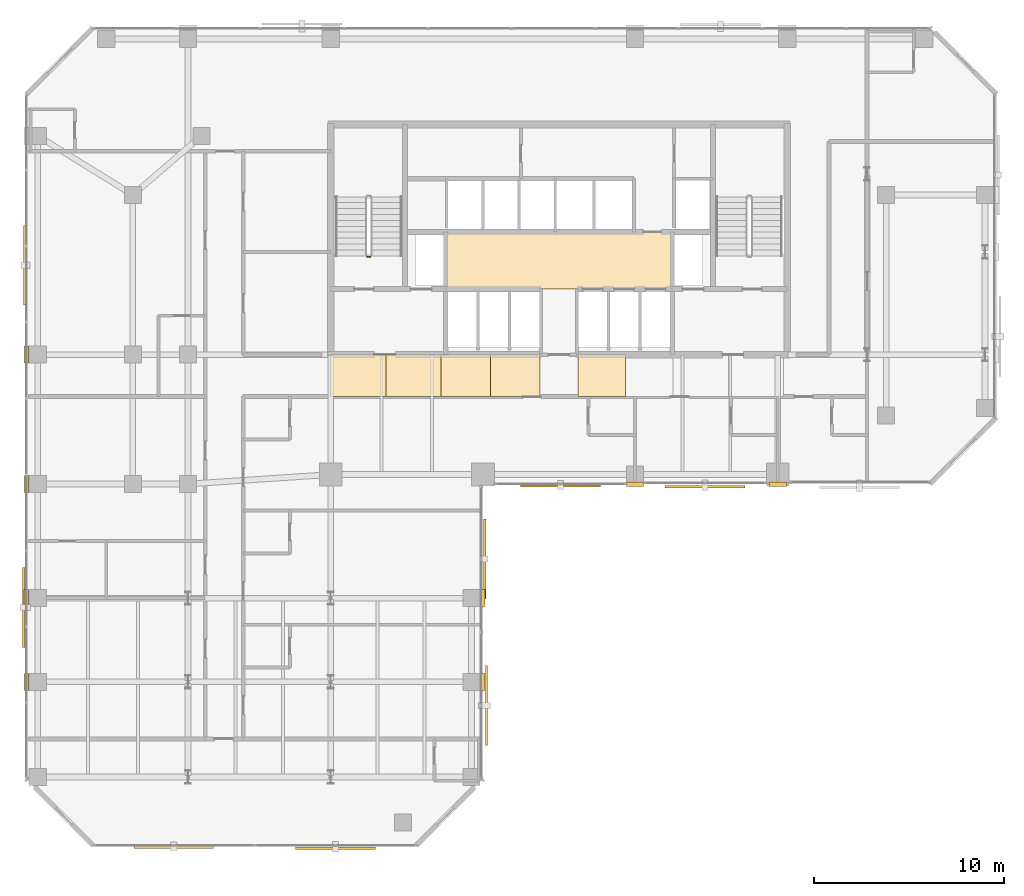
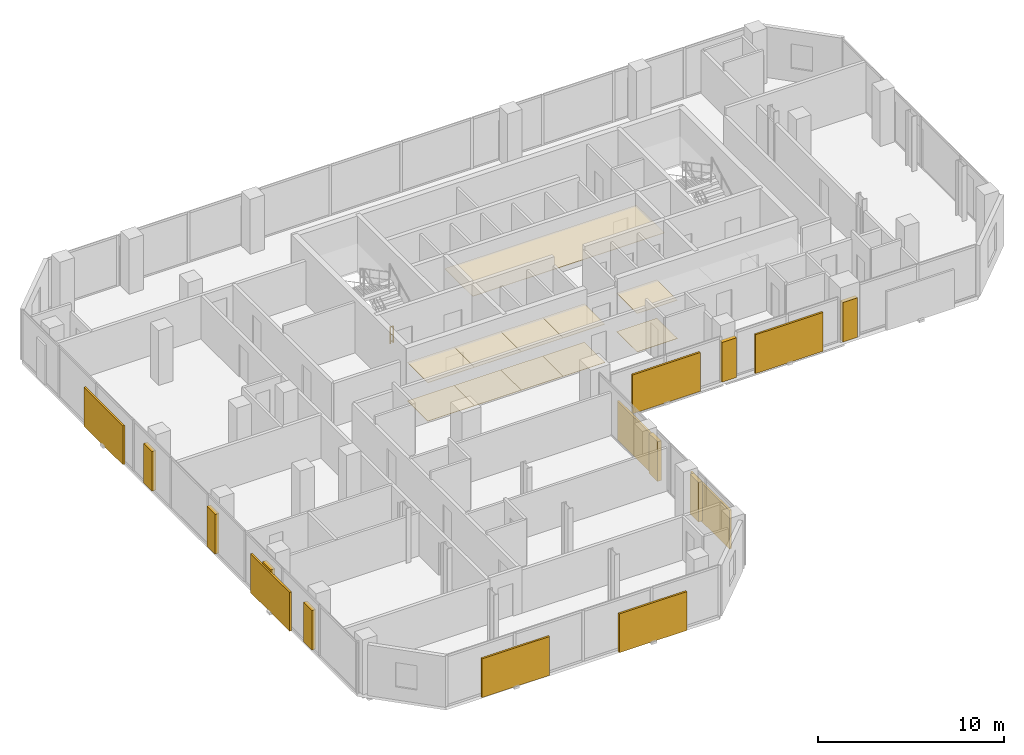
# One storey, part 33 of 35: 19 coverings, 8 shading devices, 1 railing.
"""IFC4 building model written with IfcOpenShell, lengths in metres."""

from ifc_helpers import new_model, si_unit, direction, frame, origin, origin_2d, place, context, subcontext, project, spatial, polyline, rectangle, circle, outline, extrude, material, layer, layer_set, type_object, element, save


model = new_model("IFC4")

# Units and contexts
model_context = context("Model", 3, precision=1e-05, world=origin(), true_north=direction((0.0, 1.0)))
body_context = subcontext(model_context, "Body", "Model", "MODEL_VIEW")
ifc_project = project(units=[si_unit("LENGTHUNIT", "METRE"), si_unit("AREAUNIT", "SQUARE_METRE"), si_unit("VOLUMEUNIT", "CUBIC_METRE"), si_unit("PLANEANGLEUNIT", "RADIAN"), si_unit("MASSUNIT", "GRAM", prefix="KILO")], contexts=[model_context])

# Site, building, storey
site_placement = place(None, origin())
site = spatial("IfcSite", under=ifc_project, at=site_placement, CompositionType="ELEMENT")
building_placement = place(site_placement, origin())
building = spatial("IfcBuilding", under=site, at=building_placement, Name="Catumbela Crestline Tower", CompositionType="ELEMENT")
storey_placement = place(building_placement, frame((0.0, 0.0, 90.0)))
storey = spatial("IfcBuildingStorey", under=building, at=storey_placement, Name="L22", CompositionType="ELEMENT", Elevation=90.0)

# Coverings
ifc_material_1 = material(Name="Mineral-fibre acoustic ceiling")
ifc_layer_1 = layer(ifc_material_1, 0.03, Name="Mineral-fibre acoustic ceiling")
ifc_layer_set_1 = layer_set([ifc_layer_1], Name="Mineral-fibre acoustic ceiling")
covering_type_1 = type_object("IfcCoveringType", Name="CC-AC", PredefinedType="CEILING", material=ifc_layer_set_1)
covering_1_placement = place(storey_placement, frame((0.0, 0.0, 2.65)))
element("IfcCovering", 1, at=covering_1_placement, inside=storey, type_object=covering_type_1, Name="L22 Lift Lobby Acoustic Ceiling", PredefinedType="CEILING", context=body_context, shape_type="SweptSolid", body=[
    extrude(outline(polyline([(22.05, 34.25), (33.95, 34.25), (33.95, 37.25), (22.05, 37.25), (22.05, 34.25)])), origin(), (0.0, 0.0, 1.0), 0.03),
])
covering_2_placement = place(storey_placement, frame((0.0, 0.0, 2.52)))
element("IfcCovering", 2, at=covering_2_placement, inside=storey, type_object=covering_type_1, Name="L22 Corridor Acoustic Ceiling Bay 1", PredefinedType="CEILING", context=body_context, shape_type="SweptSolid", body=[
    extrude(outline(polyline([(16.0, 28.6), (18.9, 28.6), (18.9, 30.8), (16.0, 30.8), (16.0, 28.6)])), origin(), (0.0, 0.0, 1.0), 0.03),
])
covering_3_placement = place(storey_placement, frame((0.0, 0.0, 2.52)))
element("IfcCovering", 3, at=covering_3_placement, inside=storey, type_object=covering_type_1, Name="L22 Corridor Acoustic Ceiling Bay 2", PredefinedType="CEILING", context=body_context, shape_type="SweptSolid", body=[
    extrude(outline(polyline([(18.9, 28.6), (21.8, 28.6), (21.8, 30.8), (18.9, 30.8), (18.9, 28.6)])), origin(), (0.0, 0.0, 1.0), 0.03),
])
covering_4_placement = place(storey_placement, frame((0.0, 0.0, 2.52)))
element("IfcCovering", 4, at=covering_4_placement, inside=storey, type_object=covering_type_1, Name="L22 Corridor Acoustic Ceiling Bay 3", PredefinedType="CEILING", context=body_context, shape_type="SweptSolid", body=[
    extrude(outline(polyline([(21.8, 28.6), (24.4, 28.6), (24.4, 30.8), (21.8, 30.8), (21.8, 28.6)])), origin(), (0.0, 0.0, 1.0), 0.03),
])
covering_5_placement = place(storey_placement, frame((0.0, 0.0, 2.52)))
element("IfcCovering", 5, at=covering_5_placement, inside=storey, type_object=covering_type_1, Name="L22 Corridor Acoustic Ceiling Bay 4", PredefinedType="CEILING", context=body_context, shape_type="SweptSolid", body=[
    extrude(outline(polyline([(24.4, 28.6), (27.0, 28.6), (27.0, 30.8), (24.4, 30.8), (24.4, 28.6)])), origin(), (0.0, 0.0, 1.0), 0.03),
])
covering_6_placement = place(storey_placement, frame((0.0, 0.0, 2.52)))
element("IfcCovering", 6, at=covering_6_placement, inside=storey, type_object=covering_type_1, Name="L22 Corridor Acoustic Ceiling Bay 5", PredefinedType="CEILING", context=body_context, shape_type="SweptSolid", body=[
    extrude(outline(polyline([(29.0, 28.6), (31.5, 28.6), (31.5, 30.8), (29.0, 30.8), (29.0, 28.6)])), origin(), (0.0, 0.0, 1.0), 0.03),
])
ifc_material_2 = material(Name="Extruded terracotta ceramic", Category="masonry")
ifc_layer_2 = layer(ifc_material_2, 0.08, Name="Extruded terracotta ceramic")
ifc_layer_set_2 = layer_set([ifc_layer_2], Name="Extruded terracotta ceramic")
covering_type_2 = type_object("IfcCoveringType", Name="CC-TER", PredefinedType="CLADDING", material=ifc_layer_set_2)
for number, where, z_axis, x_axis, name in (
    (7, (24.0, 13.6, 0.0), (0.0, 0.0, 1.0), (0.0, 1.0, 0.0), "L22 Fluted Terracotta Column Cladding 82"),
    (8, (24.0, 18.0, 0.0), (0.0, 0.0, 1.0), (0.0, 1.0, 0.0), "L22 Fluted Terracotta Column Cladding 83"),
    (9, (32.0, 24.0, 0.0), (0.0, 0.0, 1.0), (1.0, 0.0, 0.0), "L22 Fluted Terracotta Column Cladding 84"),
    (10, (39.5, 24.0, 0.0), (0.0, 0.0, 1.0), (1.0, 0.0, 0.0), "L22 Fluted Terracotta Column Cladding 85"),
    (11, (0.0, 24.0, 0.0), (0.0, 0.0, 1.0), (0.0, -1.0, 0.0), "L22 Fluted Terracotta Column Cladding 93"),
    (12, (0.0, 30.8, 0.0), (0.0, 0.0, 1.0), (0.0, -1.0, 0.0), "L22 Fluted Terracotta Column Cladding 94"),
    (13, (0.0, 13.6, 0.0), (0.0, 0.0, 1.0), (0.0, -1.0, 0.0), "L22 Fluted Terracotta Column Cladding 96"),
    (14, (0.0, 18.0, 0.0), (0.0, 0.0, 1.0), (0.0, -1.0, 0.0), "L22 Fluted Terracotta Column Cladding 97"),
):
    element("IfcCovering", number, at=place(storey_placement, frame(where, z_axis=z_axis, x_axis=x_axis)), inside=storey, type_object=covering_type_2, Name=name, PredefinedType="CLADDING", context=body_context, shape_type="SweptSolid", body=[
        extrude(rectangle(XDim=0.9, YDim=0.24, at=origin_2d()), origin(), (0.0, 0.0, 1.0), 2.6),
    ])
ifc_material_3 = material(Name="Angolan grey-ochre granite", Category="masonry")
ifc_layer_3 = layer(ifc_material_3, 0.025, Name="Angolan grey-ochre granite")
ifc_layer_set_3 = layer_set([ifc_layer_3], Name="Angolan grey-ochre granite")
covering_type_3 = type_object("IfcCoveringType", Name="CF-GR", PredefinedType="FLOORING", material=ifc_layer_set_3)
covering_7_placement = place(storey_placement, origin())
element("IfcCovering", 15, at=covering_7_placement, inside=storey, type_object=covering_type_3, Name="L22 Corridor Granite Flooring Bay 1", PredefinedType="FLOORING", context=body_context, shape_type="SweptSolid", body=[
    extrude(outline(polyline([(16.0, 28.6), (18.9, 28.6), (18.9, 30.8), (16.0, 30.8), (16.0, 28.6)])), origin(), (0.0, 0.0, 1.0), 0.025),
])
covering_8_placement = place(storey_placement, origin())
element("IfcCovering", 16, at=covering_8_placement, inside=storey, type_object=covering_type_3, Name="L22 Corridor Granite Flooring Bay 2", PredefinedType="FLOORING", context=body_context, shape_type="SweptSolid", body=[
    extrude(outline(polyline([(18.9, 28.6), (21.8, 28.6), (21.8, 30.8), (18.9, 30.8), (18.9, 28.6)])), origin(), (0.0, 0.0, 1.0), 0.025),
])
covering_9_placement = place(storey_placement, origin())
element("IfcCovering", 17, at=covering_9_placement, inside=storey, type_object=covering_type_3, Name="L22 Corridor Granite Flooring Bay 3", PredefinedType="FLOORING", context=body_context, shape_type="SweptSolid", body=[
    extrude(outline(polyline([(21.8, 28.6), (24.4, 28.6), (24.4, 30.8), (21.8, 30.8), (21.8, 28.6)])), origin(), (0.0, 0.0, 1.0), 0.025),
])
covering_10_placement = place(storey_placement, origin())
element("IfcCovering", 18, at=covering_10_placement, inside=storey, type_object=covering_type_3, Name="L22 Corridor Granite Flooring Bay 4", PredefinedType="FLOORING", context=body_context, shape_type="SweptSolid", body=[
    extrude(outline(polyline([(24.4, 28.6), (27.0, 28.6), (27.0, 30.8), (24.4, 30.8), (24.4, 28.6)])), origin(), (0.0, 0.0, 1.0), 0.025),
])
covering_11_placement = place(storey_placement, origin())
element("IfcCovering", 19, at=covering_11_placement, inside=storey, type_object=covering_type_3, Name="L22 Corridor Granite Flooring Bay 5", PredefinedType="FLOORING", context=body_context, shape_type="SweptSolid", body=[
    extrude(outline(polyline([(29.0, 28.6), (31.5, 28.6), (31.5, 30.8), (29.0, 30.8), (29.0, 28.6)])), origin(), (0.0, 0.0, 1.0), 0.025),
])

# Railing
ifc_material_4 = material(Name="Stainless steel EN 1.4401", Category="steel")
railing_type = type_object("IfcRailingType", Name="RG-1100", PredefinedType="GUARDRAIL", material=ifc_material_4)
railing_placement = place(storey_placement, frame((18.09, 35.95, 0.0)))
element("IfcRailing", 20, at=railing_placement, inside=storey, type_object=railing_type, Name="L22 ST-01 stair guard 4", PredefinedType="GUARDRAIL", context=body_context, shape_type="SweptSolid", body=[
    extrude(circle(Radius=0.024, at=origin_2d()), frame((0.0, 0.0, 1.076), z_axis=(-1.0, 0.0, 0.0), x_axis=(0.0, -1.0, 0.0)), (0.0, 0.0, 1.0), 0.18),
    extrude(circle(Radius=0.0156, at=origin_2d()), frame((0.0, 0.0, 0.55), z_axis=(-1.0, 0.0, 0.0), x_axis=(0.0, -1.0, 0.0)), (0.0, 0.0, 1.0), 0.18),
    extrude(circle(Radius=0.0156, at=origin_2d()), frame((0.0, 0.0, 0.12), z_axis=(-1.0, 0.0, 0.0), x_axis=(0.0, -1.0, 0.0)), (0.0, 0.0, 1.0), 0.18),
    extrude(circle(Radius=0.021, at=origin_2d()), origin(), (0.0, 0.0, 1.0), 1.052),
    extrude(circle(Radius=0.021, at=origin_2d()), frame((-0.18, 0.0, 0.0)), (0.0, 0.0, 1.0), 1.052),
])

# Shading devices
shading_device_type_1 = type_object("IfcShadingDeviceType", Name="ST-180", PredefinedType="USERDEFINED", material=ifc_material_2)
for number, where, z_axis, x_axis, name in (
    (21, (7.75, 4.901, -0.1), (0.0, 0.0, 1.0), (1.0, 0.0, 0.0), "L22 Perforated Terracotta Solar Screen 211 (180 mm)"),
    (22, (24.099, 20.05, -0.1), (0.0, 0.0, 1.0), (0.0, 1.0, 0.0), "L22 Perforated Terracotta Solar Screen 214 (180 mm)"),
    (23, (28.075, 23.901, -0.1), (0.0, 0.0, 1.0), (1.0, 0.0, 0.0), "L22 Perforated Terracotta Solar Screen 215 (180 mm)"),
    (24, (-0.099, 35.5, -0.1), (0.0, 0.0, 1.0), (0.0, -1.0, 0.0), "L22 Perforated Terracotta Solar Screen 222 (180 mm)"),
):
    element("IfcShadingDevice", number, at=place(storey_placement, frame(where, z_axis=z_axis, x_axis=x_axis)), inside=storey, type_object=shading_device_type_1, Name=name, ObjectType="SCREEN", PredefinedType="USERDEFINED", context=body_context, shape_type="SweptSolid", body=[
        extrude(rectangle(XDim=4.2, YDim=0.12, at=origin_2d()), origin(), (0.0, 0.0, 1.0), 2.55),
    ])
shading_device_type_2 = type_object("IfcShadingDeviceType", Name="ST-260", PredefinedType="USERDEFINED", material=ifc_material_2)
for number, where, z_axis, x_axis, name in (
    (25, (16.25, 4.857, -0.1), (0.0, 0.0, 1.0), (1.0, 0.0, 0.0), "L22 Perforated Terracotta Solar Screen 212 (260 mm)"),
    (26, (35.675, 23.857, -0.1), (0.0, 0.0, 1.0), (1.0, 0.0, 0.0), "L22 Perforated Terracotta Solar Screen 216 (260 mm)"),
    (27, (-0.143, 17.5, -0.1), (0.0, 0.0, 1.0), (0.0, -1.0, 0.0), "L22 Perforated Terracotta Solar Screen 223 (260 mm)"),
):
    element("IfcShadingDevice", number, at=place(storey_placement, frame(where, z_axis=z_axis, x_axis=x_axis)), inside=storey, type_object=shading_device_type_2, Name=name, ObjectType="SCREEN", PredefinedType="USERDEFINED", context=body_context, shape_type="SweptSolid", body=[
        extrude(rectangle(XDim=4.2, YDim=0.12, at=origin_2d()), origin(), (0.0, 0.0, 1.0), 2.55),
    ])
shading_device_type_3 = type_object("IfcShadingDeviceType", Name="ST-340", PredefinedType="USERDEFINED", material=ifc_material_2)
shading_device_placement = place(storey_placement, frame((24.187, 12.35, -0.1), z_axis=(0.0, 0.0, 1.0), x_axis=(0.0, 1.0, 0.0)))
element("IfcShadingDevice", 28, at=shading_device_placement, inside=storey, type_object=shading_device_type_3, Name="L22 Perforated Terracotta Solar Screen 213 (340 mm)", ObjectType="SCREEN", PredefinedType="USERDEFINED", context=body_context, shape_type="SweptSolid", body=[
    extrude(rectangle(XDim=4.2, YDim=0.12, at=origin_2d()), origin(), (0.0, 0.0, 1.0), 2.55),
])

save(model, "model.ifc")
